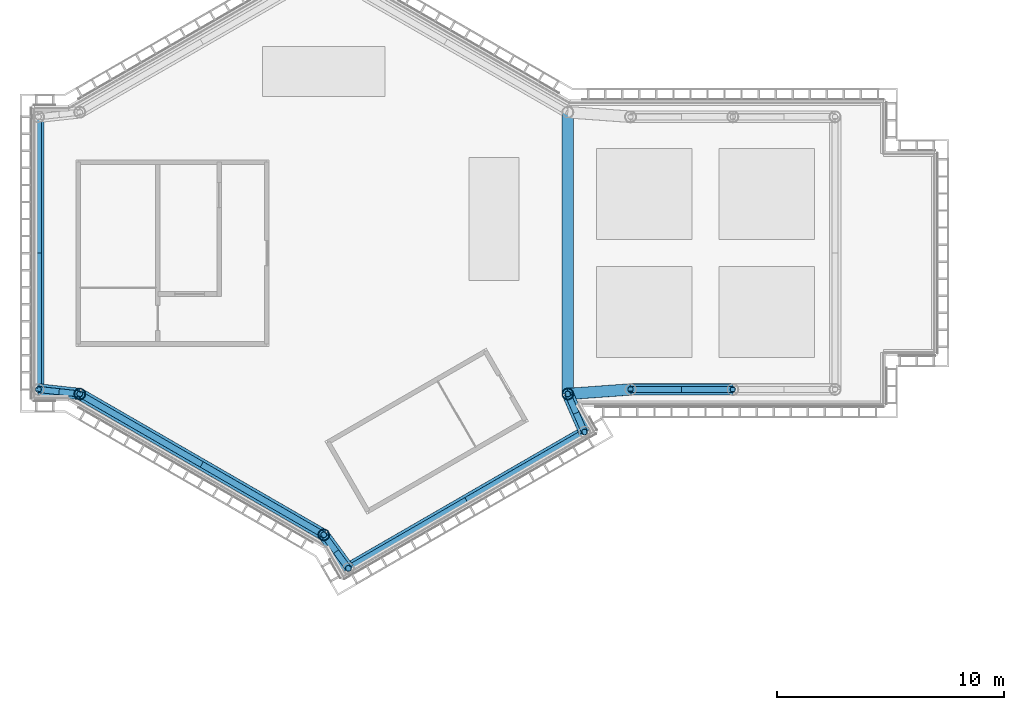
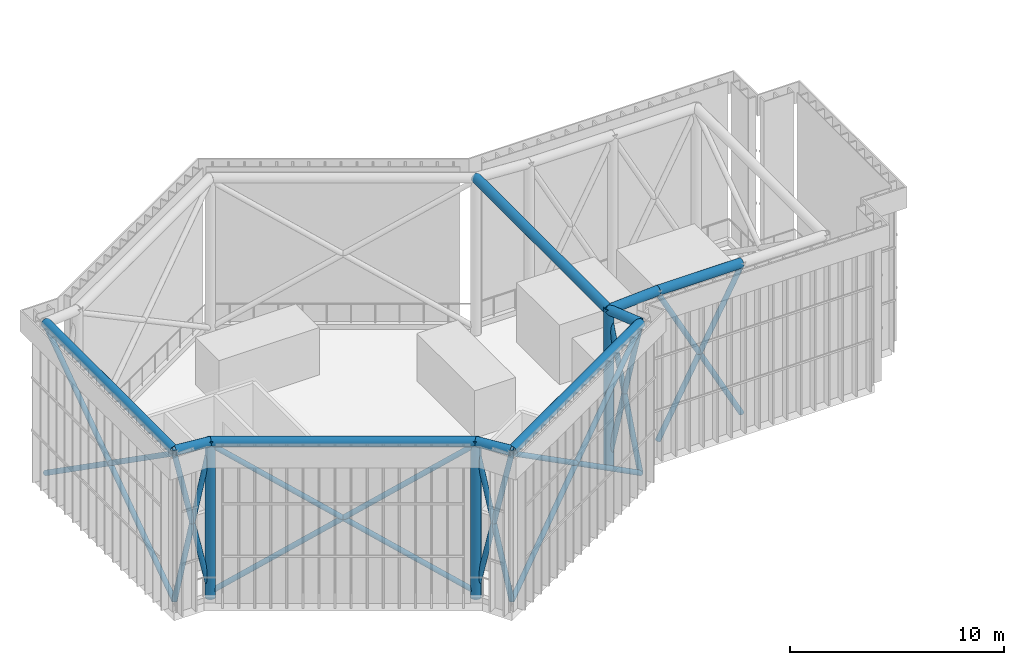
# One storey, part 3 of 17: 17 members, 9 beams.
"""IFC4 building model written with IfcOpenShell, lengths in metres."""

from ifc_helpers import new_model, si_unit, direction, frame, origin, origin_2d, place, context, subcontext, project, spatial, hollow_circle, extrude, material, material_profile, profile_set, type_object, element, save


model = new_model("IFC4")

# Units and contexts
model_context = context("Model", 3, precision=1e-05, world=origin(), true_north=direction((0.0, 1.0)))
body_context = subcontext(model_context, "Body", "Model", "MODEL_VIEW")
ifc_project = project(units=[si_unit("LENGTHUNIT", "METRE"), si_unit("AREAUNIT", "SQUARE_METRE"), si_unit("VOLUMEUNIT", "CUBIC_METRE"), si_unit("PLANEANGLEUNIT", "RADIAN"), si_unit("MASSUNIT", "GRAM", prefix="KILO")], contexts=[model_context])

# Site, building, storey
site_placement = place(None, origin())
site = spatial("IfcSite", under=ifc_project, at=site_placement, CompositionType="ELEMENT")
building_placement = place(site_placement, origin())
building = spatial("IfcBuilding", under=site, at=building_placement, Name="Upepo Twin Towers", CompositionType="ELEMENT")
storey_placement = place(building_placement, frame((0.0, 0.0, 296.5)))
storey = spatial("IfcBuildingStorey", under=building, at=storey_placement, Name="RF", CompositionType="ELEMENT", Elevation=296.5)

# Members
ifc_material_1 = material(Name="Steel S355", Category="steel")
ifc_material_profile_1 = material_profile(ifc_material_1, hollow_circle(Radius=0.136474609375, WallThickness=0.012451171875, at=origin_2d()), Name="CHS 273.0x12.5")
ifc_profile_set_1 = profile_set([ifc_material_profile_1], Name="Steel S355")
member_type_1 = type_object("IfcMemberType", Name="Crown frame brace CHS 273.0x12.5", PredefinedType="USERDEFINED", material=ifc_profile_set_1)
for number, where, z_axis, x_axis, name in (
    (1, (-12.558349609375, 6.0, 0.300048828125), (0.0, -0.819235052632, 0.57345786989), (1.0, 0.0, 0.0), "T1 crown cross brace E180a to E180b"),
    (2, (-12.558349609375, -6.0, 0.300048828125), (0.0, 0.819235052632, 0.57345786989), (-1.0, 0.0, 0.0), "T1 crown cross brace E180b to E180a"),
):
    element("IfcMember", number, at=place(storey_placement, frame(where, z_axis=z_axis, x_axis=x_axis)), inside=storey, type_object=member_type_1, Name=name, ObjectType="CROWN FRAME", PredefinedType="USERDEFINED", context=body_context, shape_type="SweptSolid", body=[
        extrude(hollow_circle(Radius=0.136474609375, WallThickness=0.012451171875, at=origin_2d()), origin(), (0.0, 0.0, 1.0), 14.647705078125),
    ])
for number, where, z_axis, x_axis, name in (
    (3, (-12.558349609375, -6.0, 0.300048828125), (0.211651762181, -0.023258123336, 0.977068365707), (0.109231103737, 0.994016381141, 0.0), "T1 crown cross brace E180b to H3"),
    (4, (-10.73876953125, -6.199951171875, 0.300048828125), (-0.211651762181, 0.023258123336, 0.977068365707), (-0.109231103737, -0.994016381141, 0.0), "T1 crown cross brace H3 to E180b"),
):
    element("IfcMember", number, at=place(storey_placement, frame(where, z_axis=z_axis, x_axis=x_axis)), inside=storey, type_object=member_type_1, Name=name, ObjectType="CROWN FRAME", PredefinedType="USERDEFINED", context=body_context, shape_type="SweptSolid", body=[
        extrude(hollow_circle(Radius=0.136474609375, WallThickness=0.012451171875, at=origin_2d()), origin(), (0.0, 0.0, 1.0), 8.59716796875),
    ])
for number, where, z_axis, x_axis, name in (
    (5, (-10.73876953125, -6.199951171875, 0.300048828125), (0.717003976787, -0.413957077036, 0.560842968793), (0.499995142677, 0.866028208143, 0.0), "T1 crown cross brace H3 to H4"),
    (6, (0.0, -12.39990234375, 0.300048828125), (-0.717003976787, 0.413957077036, 0.560842968793), (-0.499995142677, -0.866028208143, 0.0), "T1 crown cross brace H4 to H3"),
):
    element("IfcMember", number, at=place(storey_placement, frame(where, z_axis=z_axis, x_axis=x_axis)), inside=storey, type_object=member_type_1, Name=name, ObjectType="CROWN FRAME", PredefinedType="USERDEFINED", context=body_context, shape_type="SweptSolid", body=[
        extrude(hollow_circle(Radius=0.136474609375, WallThickness=0.012451171875, at=origin_2d()), origin(), (0.0, 0.0, 1.0), 14.977294921875),
    ])
for number, where, z_axis, x_axis, name in (
    (7, (0.0, -12.39990234375, 0.300048828125), (0.125974292593, -0.171666951922, 0.977067518252), (0.806214151755, 0.591623817565, 0.0), "T1 crown cross brace H4 to E300a"),
    (8, (1.0830078125, -13.875732421875, 0.300048828125), (-0.125974292593, 0.171666951922, 0.977067518252), (-0.806214151755, -0.591623817565, 0.0), "T1 crown cross brace E300a to H4"),
):
    element("IfcMember", number, at=place(storey_placement, frame(where, z_axis=z_axis, x_axis=x_axis)), inside=storey, type_object=member_type_1, Name=name, ObjectType="CROWN FRAME", PredefinedType="USERDEFINED", context=body_context, shape_type="SweptSolid", body=[
        extrude(hollow_circle(Radius=0.136474609375, WallThickness=0.012451171875, at=origin_2d()), origin(), (0.0, 0.0, 1.0), 8.59716796875),
    ])
for number, where, z_axis, x_axis, name in (
    (9, (1.0830078125, -13.875732421875, 0.300048828125), (0.709479355217, 0.409616948195, 0.57345706053), (-0.49999894854, 0.866026010844, 0.0), "T1 crown cross brace E300a to E300b"),
    (10, (11.475341796875, -7.875732421875, 0.300048828125), (-0.709479355217, -0.409616948195, 0.57345706053), (0.49999894854, -0.866026010844, 0.0), "T1 crown cross brace E300b to E300a"),
):
    element("IfcMember", number, at=place(storey_placement, frame(where, z_axis=z_axis, x_axis=x_axis)), inside=storey, type_object=member_type_1, Name=name, ObjectType="CROWN FRAME", PredefinedType="USERDEFINED", context=body_context, shape_type="SweptSolid", body=[
        extrude(hollow_circle(Radius=0.136474609375, WallThickness=0.012451171875, at=origin_2d()), origin(), (0.0, 0.0, 1.0), 14.64794921875),
    ])
for number, where, z_axis, x_axis, name in (
    (11, (11.475341796875, -7.875732421875, 0.300048828125), (-0.085677401264, 0.194925317293, 0.977068832576), (-0.91547032744, -0.402385486289, 0.0), "T1 crown cross brace E300b to H5"),
    (12, (10.73876953125, -6.199951171875, 0.300048828125), (0.085677401264, -0.194925317293, 0.977068832576), (0.91547032744, 0.402385486289, 0.0), "T1 crown cross brace H5 to E300b"),
):
    element("IfcMember", number, at=place(storey_placement, frame(where, z_axis=z_axis, x_axis=x_axis)), inside=storey, type_object=member_type_1, Name=name, ObjectType="CROWN FRAME", PredefinedType="USERDEFINED", context=body_context, shape_type="SweptSolid", body=[
        extrude(hollow_circle(Radius=0.136474609375, WallThickness=0.012451171875, at=origin_2d()), origin(), (0.0, 0.0, 1.0), 8.596923828125),
    ])
for number, where, z_axis, x_axis, name in (
    (13, (18.0, -6.0, 0.300048828125), (-0.472225678258, 0.0, 0.881477684796), (0.0, -1.0, 0.0), "T1 crown cross brace AR180 to AR135"),
    (14, (13.5, -6.0, 0.300048828125), (0.472225678258, 0.0, 0.881477684796), (0.0, 1.0, 0.0), "T1 crown cross brace AR135 to AR180"),
):
    element("IfcMember", number, at=place(storey_placement, frame(where, z_axis=z_axis, x_axis=x_axis)), inside=storey, type_object=member_type_1, Name=name, ObjectType="CROWN FRAME", PredefinedType="USERDEFINED", context=body_context, shape_type="SweptSolid", body=[
        extrude(hollow_circle(Radius=0.136474609375, WallThickness=0.012451171875, at=origin_2d()), origin(), (0.0, 0.0, 1.0), 9.529296875),
    ])
ifc_material_2 = material(Name="Steel S355", Category="steel")
ifc_material_profile_2 = material_profile(ifc_material_2, hollow_circle(Radius=0.25390625, WallThickness=0.02490234375, at=origin_2d()), Name="CHS 508.0x25.0")
ifc_profile_set_2 = profile_set([ifc_material_profile_2], Name="Steel S355")
member_type_2 = type_object("IfcMemberType", Name="Crown frame post CHS 508.0x25.0", PredefinedType="USERDEFINED", material=ifc_profile_set_2)
for number, where, z_axis, x_axis, name in (
    (15, (-10.73876953125, -6.199951171875, 0.0), (0.0, 0.0, 1.0), (1.0, 0.0, 0.0), "T1 crown frame post H3"),
    (16, (0.0, -12.39990234375, 0.0), (0.0, 0.0, 1.0), (1.0, 0.0, 0.0), "T1 crown frame post H4"),
    (17, (10.73876953125, -6.199951171875, 0.0), (0.0, 0.0, 1.0), (1.0, 0.0, 0.0), "T1 crown frame post H5"),
):
    element("IfcMember", number, at=place(storey_placement, frame(where, z_axis=z_axis, x_axis=x_axis)), inside=storey, type_object=member_type_2, Name=name, ObjectType="CROWN FRAME", PredefinedType="USERDEFINED", context=body_context, shape_type="SweptSolid", body=[
        extrude(hollow_circle(Radius=0.25390625, WallThickness=0.02490234375, at=origin_2d()), origin(), (0.0, 0.0, 1.0), 9.0),
    ])

# Beams
ifc_material_3 = material(Name="Steel S355", Category="steel")
ifc_material_profile_3 = material_profile(ifc_material_3, hollow_circle(Radius=0.25390625, WallThickness=0.02490234375, at=origin_2d()), Name="CHS 508.0x25.0")
ifc_profile_set_3 = profile_set([ifc_material_profile_3], Name="Steel S355")
beam_type = type_object("IfcBeamType", Name="Crown frame ring beam CHS 508.0x25.0", PredefinedType="USERDEFINED", material=ifc_profile_set_3)
beam_1_placement = place(storey_placement, frame((-12.558349609375, 6.0, 8.85009765625), z_axis=(0.0, -1.0, 0.0), x_axis=(1.0, 0.0, 0.0)))
element("IfcBeam", 18, at=beam_1_placement, inside=storey, type_object=beam_type, Name="T1 crown ring E180a-E180b", ObjectType="CROWN FRAME", PredefinedType="USERDEFINED", context=body_context, shape_type="SweptSolid", body=[
    extrude(hollow_circle(Radius=0.25390625, WallThickness=0.02490234375, at=origin_2d()), origin(), (0.0, 0.0, 1.0), 12.0),
])
beam_2_placement = place(storey_placement, frame((-12.558349609375, -6.0, 8.85009765625), z_axis=(0.994016381141, -0.109231103737, 0.0), x_axis=(0.109231103737, 0.994016381141, 0.0)))
element("IfcBeam", 19, at=beam_2_placement, inside=storey, type_object=beam_type, Name="T1 crown ring E180b-H3", ObjectType="CROWN FRAME", PredefinedType="USERDEFINED", context=body_context, shape_type="SweptSolid", body=[
    extrude(hollow_circle(Radius=0.25390625, WallThickness=0.02490234375, at=origin_2d()), origin(), (0.0, 0.0, 1.0), 1.83056640625),
])
beam_3_placement = place(storey_placement, frame((-10.73876953125, -6.199951171875, 8.85009765625), z_axis=(0.866028208143, -0.499995142677, 0.0), x_axis=(0.499995142677, 0.866028208143, 0.0)))
element("IfcBeam", 20, at=beam_3_placement, inside=storey, type_object=beam_type, Name="T1 crown ring H3-H4", ObjectType="CROWN FRAME", PredefinedType="USERDEFINED", context=body_context, shape_type="SweptSolid", body=[
    extrude(hollow_circle(Radius=0.25390625, WallThickness=0.02490234375, at=origin_2d()), origin(), (0.0, 0.0, 1.0), 12.39990234375),
])
beam_4_placement = place(storey_placement, frame((0.0, -12.39990234375, 8.85009765625), z_axis=(0.591623817565, -0.806214151755, 0.0), x_axis=(0.806214151755, 0.591623817565, 0.0)))
element("IfcBeam", 21, at=beam_4_placement, inside=storey, type_object=beam_type, Name="T1 crown ring H4-E300a", ObjectType="CROWN FRAME", PredefinedType="USERDEFINED", context=body_context, shape_type="SweptSolid", body=[
    extrude(hollow_circle(Radius=0.25390625, WallThickness=0.02490234375, at=origin_2d()), origin(), (0.0, 0.0, 1.0), 1.83056640625),
])
beam_5_placement = place(storey_placement, frame((1.0830078125, -13.875732421875, 8.85009765625), z_axis=(0.866026010844, 0.49999894854, 0.0), x_axis=(-0.49999894854, 0.866026010844, 0.0)))
element("IfcBeam", 22, at=beam_5_placement, inside=storey, type_object=beam_type, Name="T1 crown ring E300a-E300b", ObjectType="CROWN FRAME", PredefinedType="USERDEFINED", context=body_context, shape_type="SweptSolid", body=[
    extrude(hollow_circle(Radius=0.25390625, WallThickness=0.02490234375, at=origin_2d()), origin(), (0.0, 0.0, 1.0), 12.0),
])
beam_6_placement = place(storey_placement, frame((11.475341796875, -7.875732421875, 8.85009765625), z_axis=(-0.402385486289, 0.91547032744, 0.0), x_axis=(-0.91547032744, -0.402385486289, 0.0)))
element("IfcBeam", 23, at=beam_6_placement, inside=storey, type_object=beam_type, Name="T1 crown ring E300b-H5", ObjectType="CROWN FRAME", PredefinedType="USERDEFINED", context=body_context, shape_type="SweptSolid", body=[
    extrude(hollow_circle(Radius=0.25390625, WallThickness=0.02490234375, at=origin_2d()), origin(), (0.0, 0.0, 1.0), 1.83056640625),
])
beam_7_placement = place(storey_placement, frame((10.73876953125, -6.199951171875, 8.85009765625), z_axis=(0.0, 1.0, 0.0), x_axis=(-1.0, 0.0, 0.0)))
element("IfcBeam", 24, at=beam_7_placement, inside=storey, type_object=beam_type, Name="T1 crown ring H5-H0", ObjectType="CROWN FRAME", PredefinedType="USERDEFINED", context=body_context, shape_type="SweptSolid", body=[
    extrude(hollow_circle(Radius=0.25390625, WallThickness=0.02490234375, at=origin_2d()), origin(), (0.0, 0.0, 1.0), 12.39990234375),
])
beam_8_placement = place(storey_placement, frame((18.0, -6.0, 8.85009765625), z_axis=(-1.0, 0.0, 0.0), x_axis=(0.0, -1.0, 0.0)))
element("IfcBeam", 25, at=beam_8_placement, inside=storey, type_object=beam_type, Name="T1 crown ring AR180-AR135", ObjectType="CROWN FRAME", PredefinedType="USERDEFINED", context=body_context, shape_type="SweptSolid", body=[
    extrude(hollow_circle(Radius=0.25390625, WallThickness=0.02490234375, at=origin_2d()), origin(), (0.0, 0.0, 1.0), 4.5),
])
beam_9_placement = place(storey_placement, frame((10.73876953125, -6.199951171875, 8.85009765625), z_axis=(0.997388387803, 0.072224676358, 0.0), x_axis=(-0.072224676358, 0.997388387803, 0.0)))
element("IfcBeam", 26, at=beam_9_placement, inside=storey, type_object=beam_type, Name="T1 crown ring H5-AR135", ObjectType="CROWN FRAME", PredefinedType="USERDEFINED", context=body_context, shape_type="SweptSolid", body=[
    extrude(hollow_circle(Radius=0.25390625, WallThickness=0.02490234375, at=origin_2d()), origin(), (0.0, 0.0, 1.0), 2.7685546875),
])

save(model, "model.ifc")
